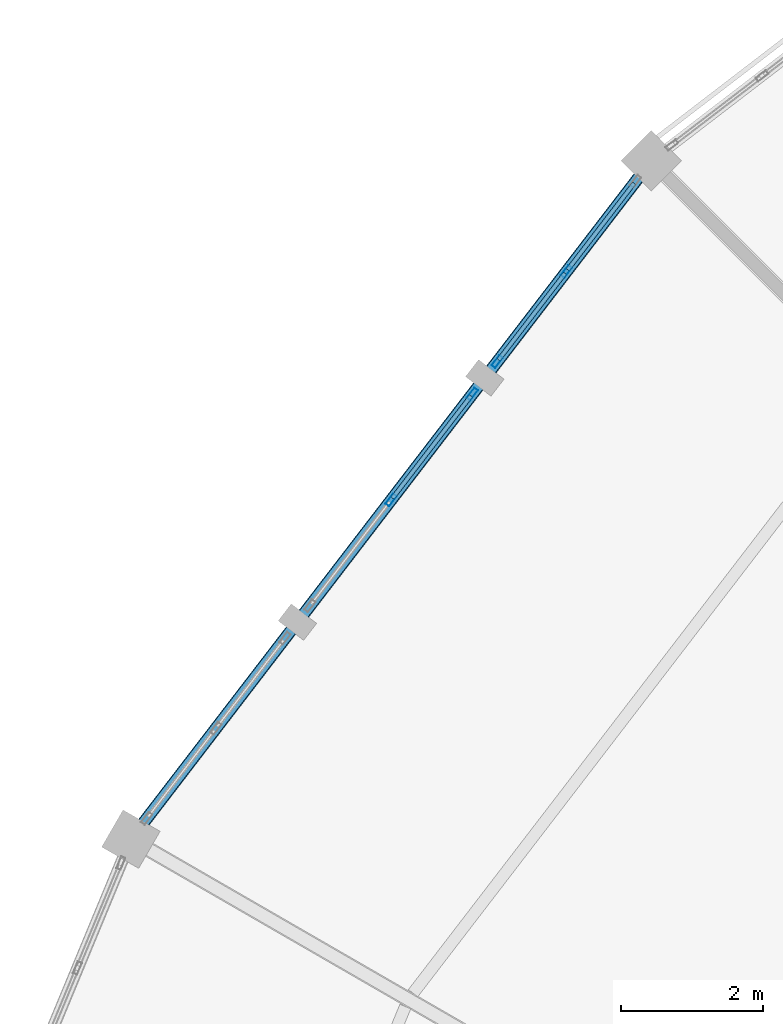
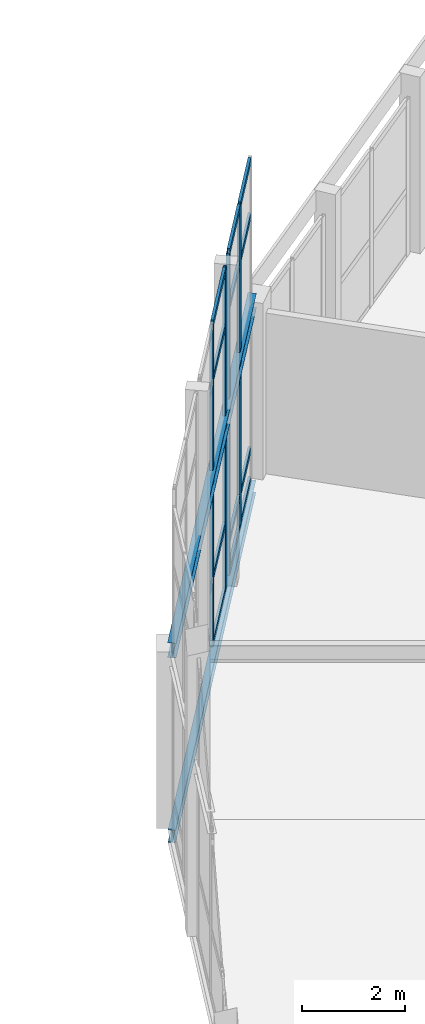
# One storey, part 88 of 200: 16 members, 2 beams, 2 elements without a shape of their own.
"""IFC4 building model written with IfcOpenShell, lengths in metres."""

from ifc_helpers import new_model, si_unit, direction, frame, origin, origin_2d, place, context, subcontext, project, spatial, hollow_rectangle, i_section, extrude, material, material_profile, profile_set, type_object, element, aggregate, save


model = new_model("IFC4")

# Units and contexts
model_context = context("Model", 3, precision=1e-05, world=origin(), true_north=direction((0.0, 1.0)))
body_context = subcontext(model_context, "Body", "Model", "MODEL_VIEW")
ifc_project = project(units=[si_unit("LENGTHUNIT", "METRE"), si_unit("AREAUNIT", "SQUARE_METRE"), si_unit("VOLUMEUNIT", "CUBIC_METRE"), si_unit("PLANEANGLEUNIT", "RADIAN"), si_unit("MASSUNIT", "GRAM", prefix="KILO")], contexts=[model_context])

# Site, building, storey
site_placement = place(None, origin())
site = spatial("IfcSite", under=ifc_project, at=site_placement, CompositionType="ELEMENT")
building_placement = place(site_placement, origin())
building = spatial("IfcBuilding", under=site, at=building_placement, Name="Vondelvale Polytechnic", CompositionType="ELEMENT")
storey_placement = place(building_placement, frame((0.0, 0.0, 13.800048828125)))
storey = spatial("IfcBuildingStorey", under=building, at=storey_placement, Name="L03", CompositionType="ELEMENT", Elevation=13.800048828125)

# Beams
ifc_material_1 = material(Name="Steel 300PLUS (fy = 300 MPa)", Category="steel")
ifc_material_profile_1 = material_profile(ifc_material_1, i_section(OverallWidth=0.14892578125, OverallDepth=0.298095703125, WebThickness=0.005615234375, FlangeThickness=0.008056640625, FilletRadius=0.011474609375, at=origin_2d()), Name="310UB32.0")
ifc_profile_set_1 = profile_set([ifc_material_profile_1], Name="Steel 300PLUS (fy = 300 MPa)")
beam_type_1 = type_object("IfcBeamType", Name="BM-UB310L", PredefinedType="BEAM", material=ifc_profile_set_1)
beam_1_placement = place(storey_placement, frame((69.47314453125, 104.52685546875, -0.399169921875), z_axis=(-0.608766116008, -0.793349743808, 0.0), x_axis=(0.793349743808, -0.608766116008, 0.0)))
element("IfcBeam", 1, at=beam_1_placement, inside=storey, type_object=beam_type_1, Name="L03 RB B-25", PredefinedType="BEAM", context=body_context, shape_type="SweptSolid", body=[
    extrude(i_section(OverallWidth=0.14892578125, OverallDepth=0.298095703125, WebThickness=0.005615234375, FlangeThickness=0.008056640625, FilletRadius=0.011474609375, at=origin_2d()), origin(), (0.0, 0.0, 1.0), 12.00830078125),
])
ifc_material_profile_2 = material_profile(ifc_material_1, i_section(OverallWidth=0.1708984375, OverallDepth=0.35205078125, WebThickness=0.0068359375, FlangeThickness=0.009765625, FilletRadius=0.011474609375, at=origin_2d()), Name="360UB44.7")
ifc_profile_set_2 = profile_set([ifc_material_profile_2], Name="Steel 300PLUS (fy = 300 MPa)")
beam_type_2 = type_object("IfcBeamType", Name="BM-UB360L", PredefinedType="BEAM", material=ifc_profile_set_2)
beam_2_placement = place(storey_placement, frame((69.47314453125, 104.52685546875, 4.02392578125), z_axis=(-0.608766116008, -0.793349743808, 0.0), x_axis=(0.793349743808, -0.608766116008, 0.0)))
element("IfcBeam", 2, at=beam_2_placement, inside=storey, type_object=beam_type_2, Name="L03 RE B-24", PredefinedType="BEAM", context=body_context, shape_type="SweptSolid", body=[
    extrude(i_section(OverallWidth=0.1708984375, OverallDepth=0.35205078125, WebThickness=0.0068359375, FlangeThickness=0.009765625, FilletRadius=0.011474609375, at=origin_2d()), origin(), (0.0, 0.0, 1.0), 12.00830078125),
])

# Curtain wall, members
ifc_material_2 = material(Name="Glulam GL18 structural Tasmanian oak (fb = 42 MPa)", Category="wood")
curtain_wall_type = type_object("IfcCurtainWallType", Name="CW-RING-OUTER", PredefinedType="NOTDEFINED", material=ifc_material_2)
curtain_wall_1_placement = place(storey_placement, origin())
curtain_wall_1 = element("IfcCurtainWall", 3, at=curtain_wall_1_placement, inside=storey, type_object=curtain_wall_type, Name="L03 architectural curtain wall CW-04-222", PredefinedType="NOTDEFINED")
ifc_material_3 = material(Name="Anodised extruded aluminium 6063-T6", Category="aluminium")
ifc_material_profile_3 = material_profile(ifc_material_3, hollow_rectangle(XDim=0.06494140625, YDim=0.179931640625, WallThickness=0.00390625, at=origin_2d()), Name="CW-MUL-180x65")
ifc_profile_set_3 = profile_set([ifc_material_profile_3], Name="Anodised extruded aluminium 6063-T6")
member_type_1 = type_object("IfcMemberType", Name="CW-MUL-65x180", PredefinedType="MULLION", material=ifc_profile_set_3)
member_1_placement = place(storey_placement, frame((68.27978515625, 102.9716796875, 0.0), z_axis=(0.0, 0.0, 1.0), x_axis=(0.793333825656, -0.608786860133, 0.0)))
member_1 = element("IfcMember", 4, at=member_1_placement, type_object=member_type_1, Name="CW-04-222 mullion 2", PredefinedType="MULLION", context=body_context, shape_type="SweptSolid", body=[
    extrude(hollow_rectangle(XDim=0.06494140625, YDim=0.179931640625, WallThickness=0.00390625, at=origin_2d()), origin(), (0.0, 0.0, 1.0), 7.661376953125),
])
member_2_placement = place(storey_placement, frame((67.308837890625, 101.706298828125, 0.0), z_axis=(0.0, 0.0, 1.0), x_axis=(0.793333825656, -0.608786860133, 0.0)))
member_2 = element("IfcMember", 5, at=member_2_placement, type_object=member_type_1, Name="CW-04-222 mullion 3", PredefinedType="MULLION", context=body_context, shape_type="SweptSolid", body=[
    extrude(hollow_rectangle(XDim=0.06494140625, YDim=0.179931640625, WallThickness=0.00390625, at=origin_2d()), origin(), (0.0, 0.0, 1.0), 7.661376953125),
])

curtain_wall_2_placement = place(storey_placement, origin())
curtain_wall_2 = element("IfcCurtainWall", 6, at=curtain_wall_2_placement, inside=storey, type_object=curtain_wall_type, Name="L03 architectural curtain wall CW-04-223", PredefinedType="NOTDEFINED")
member_3_placement = place(storey_placement, frame((66.958740234375, 101.250244140625, 0.0), z_axis=(0.0, 0.0, 1.0), x_axis=(0.793345851043, -0.608771189063, 0.0)))
member_3 = element("IfcMember", 7, at=member_3_placement, type_object=member_type_1, Name="CW-04-223 mullion 1", PredefinedType="MULLION", context=body_context, shape_type="SweptSolid", body=[
    extrude(hollow_rectangle(XDim=0.06494140625, YDim=0.179931640625, WallThickness=0.00390625, at=origin_2d()), origin(), (0.0, 0.0, 1.0), 7.661376953125),
])
member_4_placement = place(storey_placement, frame((65.81787109375, 99.763427734375, 0.0), z_axis=(0.0, 0.0, 1.0), x_axis=(0.793345851043, -0.608771189063, 0.0)))
member_4 = element("IfcMember", 8, at=member_4_placement, type_object=member_type_1, Name="CW-04-223 mullion 2", PredefinedType="MULLION", context=body_context, shape_type="SweptSolid", body=[
    extrude(hollow_rectangle(XDim=0.06494140625, YDim=0.179931640625, WallThickness=0.00390625, at=origin_2d()), origin(), (0.0, 0.0, 1.0), 7.661376953125),
])

# Member
ifc_material_profile_4 = material_profile(ifc_material_3, hollow_rectangle(XDim=0.06005859375, YDim=0.139892578125, WallThickness=0.00341796875, at=origin_2d()), Name="CW-TRN-140x60")
ifc_profile_set_4 = profile_set([ifc_material_profile_4], Name="Anodised extruded aluminium 6063-T6")
member_type_2 = type_object("IfcMemberType", Name="CW-TRN-60x140", PredefinedType="USERDEFINED", material=ifc_profile_set_4)
member_5_placement = place(storey_placement, frame((69.23095703125, 104.21142578125, 0.030029296875), z_axis=(-0.608746385664, -0.793364883229, 0.0), x_axis=(0.793364883229, -0.608746385664, 0.0)))
member_5 = element("IfcMember", 9, at=member_5_placement, type_object=member_type_2, Name="CW-04-222 transom 1.1", ObjectType="TRANSOM", PredefinedType="USERDEFINED", context=body_context, shape_type="SweptSolid", body=[
    extrude(hollow_rectangle(XDim=0.06005859375, YDim=0.139892578125, WallThickness=0.00341796875, at=origin_2d()), origin(), (0.0, 0.0, 1.0), 1.530029296875),
])

member_6_placement = place(storey_placement, frame((69.23095703125, 104.21142578125, 0.75), z_axis=(-0.608746385664, -0.793364883229, 0.0), x_axis=(0.793364883229, -0.608746385664, 0.0)))
member_6 = element("IfcMember", 10, at=member_6_placement, type_object=member_type_2, Name="CW-04-222 transom 1.2", ObjectType="TRANSOM", PredefinedType="USERDEFINED", context=body_context, shape_type="SweptSolid", body=[
    extrude(hollow_rectangle(XDim=0.06005859375, YDim=0.139892578125, WallThickness=0.00341796875, at=origin_2d()), origin(), (0.0, 0.0, 1.0), 1.530029296875),
])

member_7_placement = place(storey_placement, frame((69.23095703125, 104.21142578125, 6.311279296875), z_axis=(-0.608746385664, -0.793364883229, 0.0), x_axis=(0.793364883229, -0.608746385664, 0.0)))
member_7 = element("IfcMember", 11, at=member_7_placement, type_object=member_type_2, Name="CW-04-222 transom 1.3", ObjectType="TRANSOM", PredefinedType="USERDEFINED", context=body_context, shape_type="SweptSolid", body=[
    extrude(hollow_rectangle(XDim=0.06005859375, YDim=0.139892578125, WallThickness=0.00341796875, at=origin_2d()), origin(), (0.0, 0.0, 1.0), 1.530029296875),
])

member_8_placement = place(storey_placement, frame((69.23095703125, 104.21142578125, 7.63134765625), z_axis=(-0.608746385664, -0.793364883229, 0.0), x_axis=(0.793364883229, -0.608746385664, 0.0)))
member_8 = element("IfcMember", 12, at=member_8_placement, type_object=member_type_2, Name="CW-04-222 transom 1.4", ObjectType="TRANSOM", PredefinedType="USERDEFINED", context=body_context, shape_type="SweptSolid", body=[
    extrude(hollow_rectangle(XDim=0.06005859375, YDim=0.139892578125, WallThickness=0.00341796875, at=origin_2d()), origin(), (0.0, 0.0, 1.0), 1.530029296875),
])

member_9_placement = place(storey_placement, frame((68.260009765625, 102.946044921875, 0.030029296875), z_axis=(-0.608746385664, -0.793364883229, 0.0), x_axis=(0.793364883229, -0.608746385664, 0.0)))
member_9 = element("IfcMember", 13, at=member_9_placement, type_object=member_type_2, Name="CW-04-222 transom 2.1", ObjectType="TRANSOM", PredefinedType="USERDEFINED", context=body_context, shape_type="SweptSolid", body=[
    extrude(hollow_rectangle(XDim=0.06005859375, YDim=0.139892578125, WallThickness=0.00341796875, at=origin_2d()), origin(), (0.0, 0.0, 1.0), 1.530029296875),
])

member_10_placement = place(storey_placement, frame((68.260009765625, 102.946044921875, 0.75), z_axis=(-0.608746385664, -0.793364883229, 0.0), x_axis=(0.793364883229, -0.608746385664, 0.0)))
member_10 = element("IfcMember", 14, at=member_10_placement, type_object=member_type_2, Name="CW-04-222 transom 2.2", ObjectType="TRANSOM", PredefinedType="USERDEFINED", context=body_context, shape_type="SweptSolid", body=[
    extrude(hollow_rectangle(XDim=0.06005859375, YDim=0.139892578125, WallThickness=0.00341796875, at=origin_2d()), origin(), (0.0, 0.0, 1.0), 1.530029296875),
])

member_11_placement = place(storey_placement, frame((68.260009765625, 102.946044921875, 6.311279296875), z_axis=(-0.608746385664, -0.793364883229, 0.0), x_axis=(0.793364883229, -0.608746385664, 0.0)))
member_11 = element("IfcMember", 15, at=member_11_placement, type_object=member_type_2, Name="CW-04-222 transom 2.3", ObjectType="TRANSOM", PredefinedType="USERDEFINED", context=body_context, shape_type="SweptSolid", body=[
    extrude(hollow_rectangle(XDim=0.06005859375, YDim=0.139892578125, WallThickness=0.00341796875, at=origin_2d()), origin(), (0.0, 0.0, 1.0), 1.530029296875),
])

member_12_placement = place(storey_placement, frame((68.260009765625, 102.946044921875, 7.63134765625), z_axis=(-0.608746385664, -0.793364883229, 0.0), x_axis=(0.793364883229, -0.608746385664, 0.0)))
member_12 = element("IfcMember", 16, at=member_12_placement, type_object=member_type_2, Name="CW-04-222 transom 2.4", ObjectType="TRANSOM", PredefinedType="USERDEFINED", context=body_context, shape_type="SweptSolid", body=[
    extrude(hollow_rectangle(XDim=0.06005859375, YDim=0.139892578125, WallThickness=0.00341796875, at=origin_2d()), origin(), (0.0, 0.0, 1.0), 1.530029296875),
])

aggregate(curtain_wall_1, [member_1, member_2, member_5, member_6, member_7, member_8, member_9, member_10, member_11, member_12])

member_13_placement = place(storey_placement, frame((66.93896484375, 101.224365234375, 0.030029296875), z_axis=(-0.608816809849, -0.793310842007, 0.0), x_axis=(0.793310842007, -0.608816809849, 0.0)))
member_13 = element("IfcMember", 17, at=member_13_placement, type_object=member_type_2, Name="CW-04-223 transom 1.1", ObjectType="TRANSOM", PredefinedType="USERDEFINED", context=body_context, shape_type="SweptSolid", body=[
    extrude(hollow_rectangle(XDim=0.06005859375, YDim=0.139892578125, WallThickness=0.00341796875, at=origin_2d()), origin(), (0.0, 0.0, 1.0), 1.808837890625),
])

member_14_placement = place(storey_placement, frame((66.93896484375, 101.224365234375, 1.599853515625), z_axis=(-0.608816809849, -0.793310842007, 0.0), x_axis=(0.793310842007, -0.608816809849, 0.0)))
member_14 = element("IfcMember", 18, at=member_14_placement, type_object=member_type_2, Name="CW-04-223 transom 1.2", ObjectType="TRANSOM", PredefinedType="USERDEFINED", context=body_context, shape_type="SweptSolid", body=[
    extrude(hollow_rectangle(XDim=0.06005859375, YDim=0.139892578125, WallThickness=0.00341796875, at=origin_2d()), origin(), (0.0, 0.0, 1.0), 1.808837890625),
])

member_15_placement = place(storey_placement, frame((66.93896484375, 101.224365234375, 6.311279296875), z_axis=(-0.608816809849, -0.793310842007, 0.0), x_axis=(0.793310842007, -0.608816809849, 0.0)))
member_15 = element("IfcMember", 19, at=member_15_placement, type_object=member_type_2, Name="CW-04-223 transom 1.3", ObjectType="TRANSOM", PredefinedType="USERDEFINED", context=body_context, shape_type="SweptSolid", body=[
    extrude(hollow_rectangle(XDim=0.06005859375, YDim=0.139892578125, WallThickness=0.00341796875, at=origin_2d()), origin(), (0.0, 0.0, 1.0), 1.808837890625),
])

member_16_placement = place(storey_placement, frame((66.93896484375, 101.224365234375, 7.63134765625), z_axis=(-0.608816809849, -0.793310842007, 0.0), x_axis=(0.793310842007, -0.608816809849, 0.0)))
member_16 = element("IfcMember", 20, at=member_16_placement, type_object=member_type_2, Name="CW-04-223 transom 1.4", ObjectType="TRANSOM", PredefinedType="USERDEFINED", context=body_context, shape_type="SweptSolid", body=[
    extrude(hollow_rectangle(XDim=0.06005859375, YDim=0.139892578125, WallThickness=0.00341796875, at=origin_2d()), origin(), (0.0, 0.0, 1.0), 1.808837890625),
])

aggregate(curtain_wall_2, [member_3, member_4, member_13, member_14, member_15, member_16])

save(model, "model.ifc")
